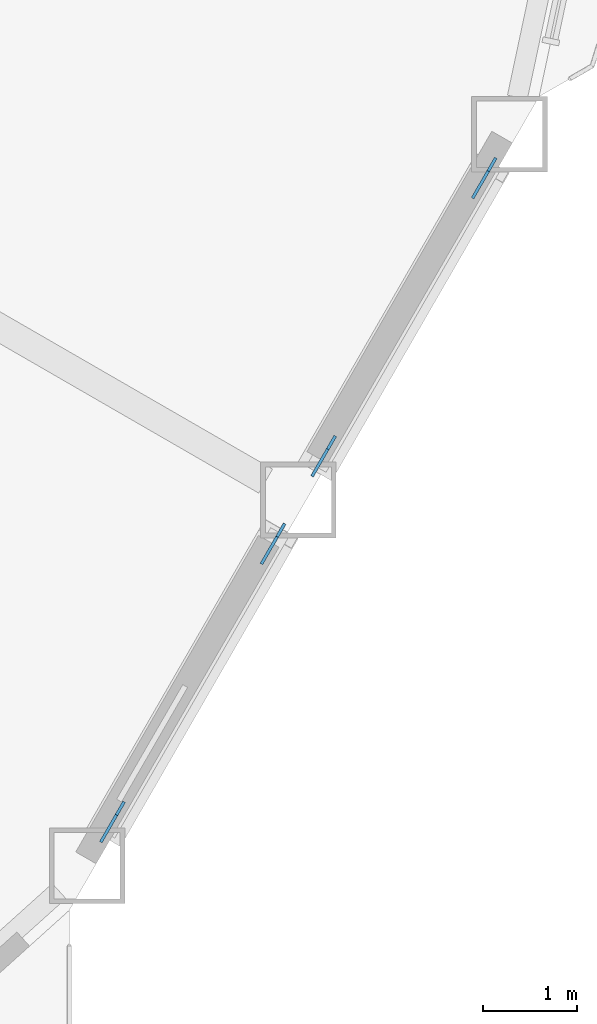
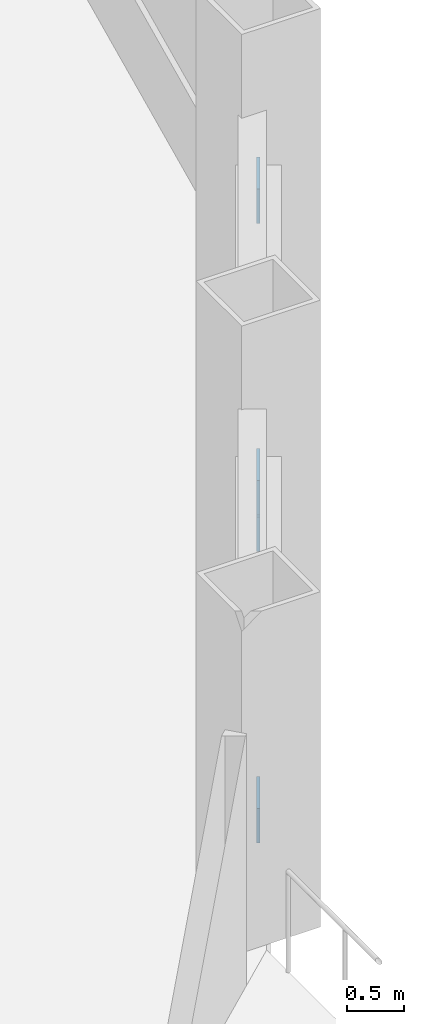
# One storey, part 17 of 23: 4 discrete accessories.
"""IFC4 building model written with IfcOpenShell, lengths in metres."""

from ifc_helpers import new_model, si_unit, direction, frame, origin, origin_2d, place, context, subcontext, project, spatial, rectangle, extrude, material, material_profile, profile_set, type_object, element, save


model = new_model("IFC4")

# Units and contexts
model_context = context("Model", 3, precision=1e-05, world=origin(), true_north=direction((0.0, 1.0)))
body_context = subcontext(model_context, "Body", "Model", "MODEL_VIEW")
ifc_project = project(units=[si_unit("LENGTHUNIT", "METRE"), si_unit("AREAUNIT", "SQUARE_METRE"), si_unit("VOLUMEUNIT", "CUBIC_METRE"), si_unit("PLANEANGLEUNIT", "RADIAN"), si_unit("MASSUNIT", "GRAM", prefix="KILO")], contexts=[model_context])

# Site, building, storey
site_placement = place(None, origin())
site = spatial("IfcSite", under=ifc_project, at=site_placement, CompositionType="ELEMENT")
building_placement = place(site_placement, origin())
building = spatial("IfcBuilding", under=site, at=building_placement, Name="Cormorant Prow Tower", CompositionType="ELEMENT")
storey_placement = place(building_placement, frame((0.0, 0.0, 183.60009765625)))
storey = spatial("IfcBuildingStorey", under=building, at=storey_placement, Name="L39", CompositionType="ELEMENT", Elevation=183.60009765625)

# Discrete accessories
ifc_material = material(Name="Structural steel ASTM A500 Gr C", Category="steel")
ifc_material_profile = material_profile(ifc_material, rectangle(XDim=0.031982421875, YDim=0.506103515625, at=origin_2d()), Name="Gusset plate 32x506")
ifc_profile_set = profile_set([ifc_material_profile], Name="Structural steel ASTM A500 Gr C")
discrete_accessory_type = type_object("IfcDiscreteAccessoryType", Name="Gusset plate 32x506", PredefinedType="BRACKET", material=ifc_profile_set)
discrete_accessory_1_placement = place(storey_placement, frame((26.17431640625, -19.463623046875, 0.83544921875), z_axis=(-0.47373689254, -0.821190460264, -0.318150254784), x_axis=(0.866197837791, -0.499701216534, 0.0)))
element("IfcDiscreteAccessory", 1, at=discrete_accessory_1_placement, inside=storey, type_object=discrete_accessory_type, Name="Gusset plate GP2 L39.ESE00.g0", PredefinedType="BRACKET", context=body_context, shape_type="SweptSolid", body=[
    extrude(rectangle(XDim=0.031982421875, YDim=0.506103515625, at=origin_2d()), origin(), (0.0, 0.0, 1.0), 0.349853515625),
])
for number, where, z_axis, x_axis, name in (
    (2, (27.7080078125, -16.807373046875, 1.865234375), (0.4742777402, 0.820918970906, 0.31804507284), (-0.86587923604, 0.500253084543, 0.0), "Gusset plate GP2 L39.ESE00.g1"),
    (3, (28.40966796875, -15.59228515625, 0.83544921875), (-0.4742777402, -0.820918970906, -0.31804507284), (0.86587923604, -0.500253084543, 0.0), "Gusset plate GP2 L39.ESE01.g0"),
):
    element("IfcDiscreteAccessory", number, at=place(storey_placement, frame(where, z_axis=z_axis, x_axis=x_axis)), inside=storey, type_object=discrete_accessory_type, Name=name, PredefinedType="BRACKET", context=body_context, shape_type="SweptSolid", body=[
        extrude(rectangle(XDim=0.031982421875, YDim=0.506103515625, at=origin_2d()), origin(), (0.0, 0.0, 1.0), 0.35009765625),
    ])
discrete_accessory_2_placement = place(storey_placement, frame((29.943359375, -12.935791015625, 1.865234375), z_axis=(0.47373689254, 0.821190460264, 0.318150254784), x_axis=(-0.866197837791, 0.499701216534, 0.0)))
element("IfcDiscreteAccessory", 4, at=discrete_accessory_2_placement, inside=storey, type_object=discrete_accessory_type, Name="Gusset plate GP2 L39.ESE01.g1", PredefinedType="BRACKET", context=body_context, shape_type="SweptSolid", body=[
    extrude(rectangle(XDim=0.031982421875, YDim=0.506103515625, at=origin_2d()), origin(), (0.0, 0.0, 1.0), 0.349853515625),
])

save(model, "model.ifc")
